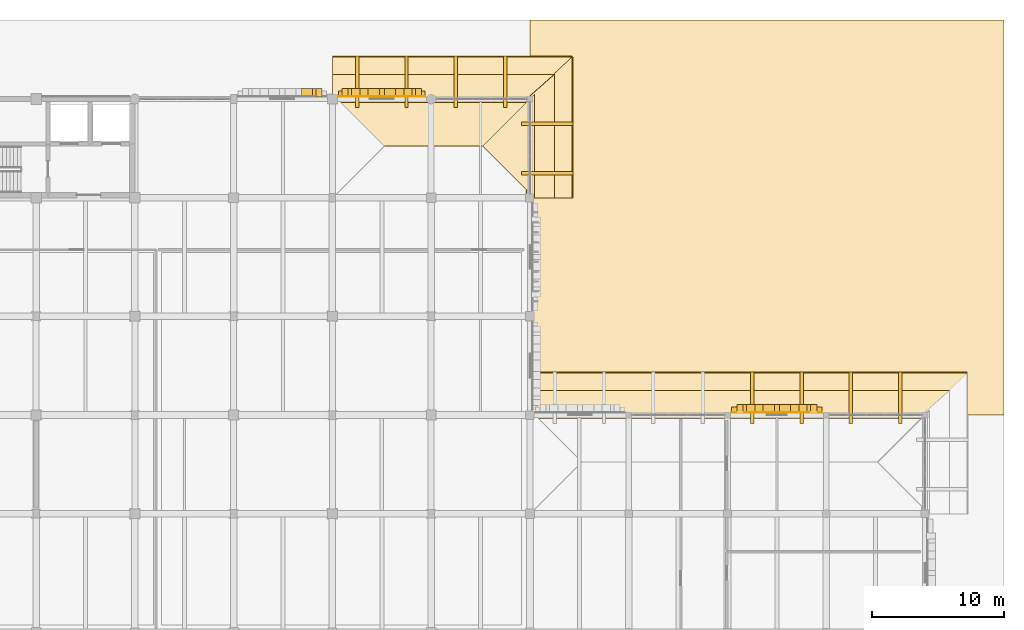
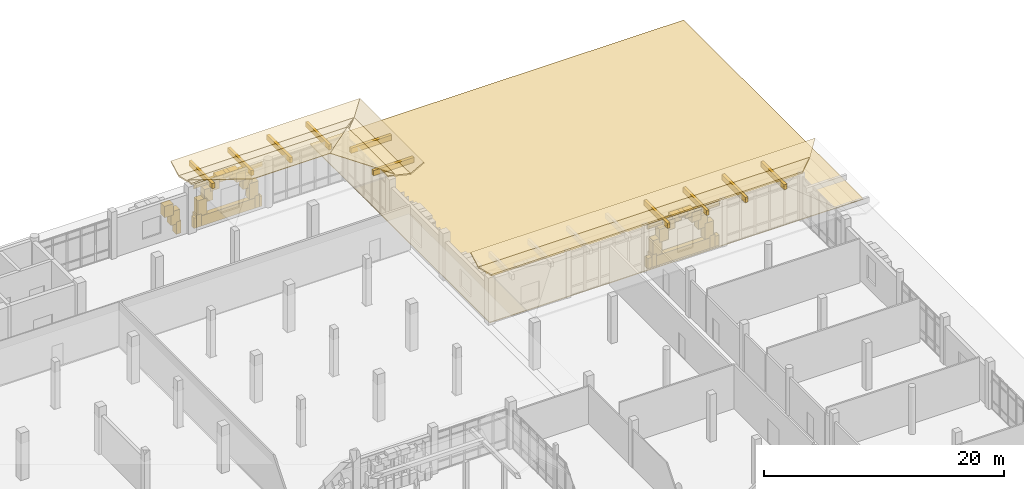
# One storey, part 125 of 125: 48 coverings.
"""IFC4 building model written with IfcOpenShell, lengths in metres."""

from ifc_helpers import new_model, si_unit, direction, frame, origin, origin_2d, place, context, subcontext, project, spatial, polyline, rectangle, outline, extrude, material, layer, layer_set, type_object, element, save


model = new_model("IFC4")

# Units and contexts
model_context = context("Model", 3, precision=1e-05, world=origin(), true_north=direction((0.0, 1.0)))
body_context = subcontext(model_context, "Body", "Model", "MODEL_VIEW")
ifc_project = project(units=[si_unit("LENGTHUNIT", "METRE"), si_unit("AREAUNIT", "SQUARE_METRE"), si_unit("VOLUMEUNIT", "CUBIC_METRE"), si_unit("PLANEANGLEUNIT", "RADIAN"), si_unit("MASSUNIT", "GRAM", prefix="KILO")], contexts=[model_context])

# Site, building, storey
site_placement = place(None, origin())
site = spatial("IfcSite", under=ifc_project, at=site_placement, CompositionType="ELEMENT")
building_placement = place(site_placement, origin())
building = spatial("IfcBuilding", under=site, at=building_placement, Name="Dalvernix Boulevard General Hospital", CompositionType="ELEMENT")
storey_placement = place(building_placement, origin())
storey = spatial("IfcBuildingStorey", under=building, at=storey_placement, Name="L00", CompositionType="ELEMENT", Elevation=0.0)

# Coverings
ifc_material_1 = material(Name="Pressed Catalan clay brick and dressed limestone parabolic archivolt", Category="masonry")
ifc_layer_1 = layer(ifc_material_1, 0.419921875)
ifc_layer_set_1 = layer_set([ifc_layer_1], Name="Pressed Catalan clay brick and dressed limestone parabolic archivolt (COV-ARC-01)")
covering_type_1 = type_object("IfcCoveringType", Name="COV-ARC-01", PredefinedType="CLADDING", material=ifc_layer_set_1)
covering_1_placement = place(storey_placement, frame((126.487548828125, 117.485107421875, 0.0), z_axis=(0.0, 0.0, 1.0), x_axis=(1.0, 0.0, 0.0)))
element("IfcCovering", 1, at=covering_1_placement, inside=storey, type_object=covering_type_1, Name="L00 Catalan parabolic arch impost pier N 16-15-R", PredefinedType="CLADDING", context=body_context, shape_type="SweptSolid", body=[
    extrude(rectangle(XDim=0.4599609375, YDim=0.659912109375, at=origin_2d()), origin(), (0.0, 0.0, 1.0), 1.25),
])
covering_2_placement = place(storey_placement, frame((125.55419921875, 117.485107421875, 2.07958984375), z_axis=(0.0, 0.0, 1.0), x_axis=(1.0, 0.0, 0.0)))
element("IfcCovering", 2, at=covering_2_placement, inside=storey, type_object=covering_type_1, Name="L00 Catalan parabolic archivolt voussoir N 16-15-8", PredefinedType="CLADDING", context=body_context, shape_type="SweptSolid", body=[
    extrude(rectangle(XDim=0.8623046875, YDim=0.659912109375, at=origin_2d()), origin(), (0.0, 0.0, 1.0), 1.144287109375),
])
covering_3_placement = place(storey_placement, frame((126.176513671875, 117.485107421875, 1.059814453125), z_axis=(0.0, 0.0, 1.0), x_axis=(1.0, 0.0, 0.0)))
element("IfcCovering", 3, at=covering_3_placement, inside=storey, type_object=covering_type_1, Name="L00 Catalan parabolic archivolt voussoir N 16-15-9", PredefinedType="CLADDING", context=body_context, shape_type="SweptSolid", body=[
    extrude(rectangle(XDim=0.8623046875, YDim=0.659912109375, at=origin_2d()), origin(), (0.0, 0.0, 1.0), 1.3994140625),
])
for number, where, z_axis, x_axis, name in (
    (4, (128.449951171875, 117.485107421875, 0.0), (0.0, 0.0, 1.0), (1.0, 0.0, 0.0), "L00 Catalan parabolic arch impost pier N 17-15-L"),
    (5, (134.050048828125, 117.485107421875, 0.0), (0.0, 0.0, 1.0), (1.0, 0.0, 0.0), "L00 Catalan parabolic arch impost pier N 17-15-R"),
):
    element("IfcCovering", number, at=place(storey_placement, frame(where, z_axis=z_axis, x_axis=x_axis)), inside=storey, type_object=covering_type_1, Name=name, PredefinedType="CLADDING", context=body_context, shape_type="SweptSolid", body=[
        extrude(rectangle(XDim=0.4599609375, YDim=0.659912109375, at=origin_2d()), origin(), (0.0, 0.0, 1.0), 1.25),
    ])
covering_4_placement = place(storey_placement, frame((128.760986328125, 117.485107421875, 1.06005859375), z_axis=(0.0, 0.0, 1.0), x_axis=(1.0, 0.0, 0.0)))
element("IfcCovering", 6, at=covering_4_placement, inside=storey, type_object=covering_type_1, Name="L00 Catalan parabolic archivolt voussoir N 17-15-1", PredefinedType="CLADDING", context=body_context, shape_type="SweptSolid", body=[
    extrude(rectangle(XDim=0.8623046875, YDim=0.659912109375, at=origin_2d()), origin(), (0.0, 0.0, 1.0), 1.616455078125),
])
covering_5_placement = place(storey_placement, frame((129.38330078125, 117.485107421875, 2.29638671875), z_axis=(0.0, 0.0, 1.0), x_axis=(1.0, 0.0, 0.0)))
element("IfcCovering", 7, at=covering_5_placement, inside=storey, type_object=covering_type_1, Name="L00 Catalan parabolic archivolt voussoir N 17-15-2", PredefinedType="CLADDING", context=body_context, shape_type="SweptSolid", body=[
    extrude(rectangle(XDim=0.8623046875, YDim=0.659912109375, at=origin_2d()), origin(), (0.0, 0.0, 1.0), 1.307373046875),
])
covering_6_placement = place(storey_placement, frame((130.005615234375, 117.485107421875, 3.22412109375), z_axis=(0.0, 0.0, 1.0), x_axis=(1.0, 0.0, 0.0)))
element("IfcCovering", 8, at=covering_6_placement, inside=storey, type_object=covering_type_1, Name="L00 Catalan parabolic archivolt voussoir N 17-15-3", PredefinedType="CLADDING", context=body_context, shape_type="SweptSolid", body=[
    extrude(rectangle(XDim=0.8623046875, YDim=0.659912109375, at=origin_2d()), origin(), (0.0, 0.0, 1.0), 0.998291015625),
])
covering_7_placement = place(storey_placement, frame((130.627685546875, 117.485107421875, 3.84228515625), z_axis=(0.0, 0.0, 1.0), x_axis=(1.0, 0.0, 0.0)))
element("IfcCovering", 9, at=covering_7_placement, inside=storey, type_object=covering_type_1, Name="L00 Catalan parabolic archivolt voussoir N 17-15-4", PredefinedType="CLADDING", context=body_context, shape_type="SweptSolid", body=[
    extrude(rectangle(XDim=0.8623046875, YDim=0.659912109375, at=origin_2d()), origin(), (0.0, 0.0, 1.0), 0.689208984375),
])
covering_8_placement = place(storey_placement, frame((131.25, 117.485107421875, 4.1513671875), z_axis=(0.0, 0.0, 1.0), x_axis=(1.0, 0.0, 0.0)))
element("IfcCovering", 10, at=covering_8_placement, inside=storey, type_object=covering_type_1, Name="L00 Catalan parabolic archivolt voussoir N 17-15-5", PredefinedType="CLADDING", context=body_context, shape_type="SweptSolid", body=[
    extrude(rectangle(XDim=0.8623046875, YDim=0.659912109375, at=origin_2d()), origin(), (0.0, 0.0, 1.0), 0.3798828125),
])
covering_9_placement = place(storey_placement, frame((131.872314453125, 117.485107421875, 3.84228515625), z_axis=(0.0, 0.0, 1.0), x_axis=(1.0, 0.0, 0.0)))
element("IfcCovering", 11, at=covering_9_placement, inside=storey, type_object=covering_type_1, Name="L00 Catalan parabolic archivolt voussoir N 17-15-6", PredefinedType="CLADDING", context=body_context, shape_type="SweptSolid", body=[
    extrude(rectangle(XDim=0.8623046875, YDim=0.659912109375, at=origin_2d()), origin(), (0.0, 0.0, 1.0), 0.689208984375),
])
covering_10_placement = place(storey_placement, frame((132.494384765625, 117.485107421875, 3.22412109375), z_axis=(0.0, 0.0, 1.0), x_axis=(1.0, 0.0, 0.0)))
element("IfcCovering", 12, at=covering_10_placement, inside=storey, type_object=covering_type_1, Name="L00 Catalan parabolic archivolt voussoir N 17-15-7", PredefinedType="CLADDING", context=body_context, shape_type="SweptSolid", body=[
    extrude(rectangle(XDim=0.8623046875, YDim=0.659912109375, at=origin_2d()), origin(), (0.0, 0.0, 1.0), 0.998291015625),
])
covering_11_placement = place(storey_placement, frame((133.11669921875, 117.485107421875, 2.29638671875), z_axis=(0.0, 0.0, 1.0), x_axis=(1.0, 0.0, 0.0)))
element("IfcCovering", 13, at=covering_11_placement, inside=storey, type_object=covering_type_1, Name="L00 Catalan parabolic archivolt voussoir N 17-15-8", PredefinedType="CLADDING", context=body_context, shape_type="SweptSolid", body=[
    extrude(rectangle(XDim=0.8623046875, YDim=0.659912109375, at=origin_2d()), origin(), (0.0, 0.0, 1.0), 1.307373046875),
])
covering_12_placement = place(storey_placement, frame((133.739013671875, 117.485107421875, 1.06005859375), z_axis=(0.0, 0.0, 1.0), x_axis=(1.0, 0.0, 0.0)))
element("IfcCovering", 14, at=covering_12_placement, inside=storey, type_object=covering_type_1, Name="L00 Catalan parabolic archivolt voussoir N 17-15-9", PredefinedType="CLADDING", context=body_context, shape_type="SweptSolid", body=[
    extrude(rectangle(XDim=0.8623046875, YDim=0.659912109375, at=origin_2d()), origin(), (0.0, 0.0, 1.0), 1.616455078125),
])
for number, where, z_axis, x_axis, name in (
    (15, (158.449951171875, 93.485107421875, 0.0), (0.0, 0.0, 1.0), (1.0, 0.0, 0.0), "L00 Catalan parabolic arch impost pier N 21-12-L"),
    (16, (164.050048828125, 93.485107421875, 0.0), (0.0, 0.0, 1.0), (1.0, 0.0, 0.0), "L00 Catalan parabolic arch impost pier N 21-12-R"),
):
    element("IfcCovering", number, at=place(storey_placement, frame(where, z_axis=z_axis, x_axis=x_axis)), inside=storey, type_object=covering_type_1, Name=name, PredefinedType="CLADDING", context=body_context, shape_type="SweptSolid", body=[
        extrude(rectangle(XDim=0.4599609375, YDim=0.659912109375, at=origin_2d()), origin(), (0.0, 0.0, 1.0), 1.25),
    ])
covering_13_placement = place(storey_placement, frame((158.760986328125, 93.485107421875, 1.06005859375), z_axis=(0.0, 0.0, 1.0), x_axis=(1.0, 0.0, 0.0)))
element("IfcCovering", 17, at=covering_13_placement, inside=storey, type_object=covering_type_1, Name="L00 Catalan parabolic archivolt voussoir N 21-12-1", PredefinedType="CLADDING", context=body_context, shape_type="SweptSolid", body=[
    extrude(rectangle(XDim=0.8623046875, YDim=0.659912109375, at=origin_2d()), origin(), (0.0, 0.0, 1.0), 1.616455078125),
])
covering_14_placement = place(storey_placement, frame((159.38330078125, 93.485107421875, 2.29638671875), z_axis=(0.0, 0.0, 1.0), x_axis=(1.0, 0.0, 0.0)))
element("IfcCovering", 18, at=covering_14_placement, inside=storey, type_object=covering_type_1, Name="L00 Catalan parabolic archivolt voussoir N 21-12-2", PredefinedType="CLADDING", context=body_context, shape_type="SweptSolid", body=[
    extrude(rectangle(XDim=0.8623046875, YDim=0.659912109375, at=origin_2d()), origin(), (0.0, 0.0, 1.0), 1.307373046875),
])
covering_15_placement = place(storey_placement, frame((160.005615234375, 93.485107421875, 3.22412109375), z_axis=(0.0, 0.0, 1.0), x_axis=(1.0, 0.0, 0.0)))
element("IfcCovering", 19, at=covering_15_placement, inside=storey, type_object=covering_type_1, Name="L00 Catalan parabolic archivolt voussoir N 21-12-3", PredefinedType="CLADDING", context=body_context, shape_type="SweptSolid", body=[
    extrude(rectangle(XDim=0.8623046875, YDim=0.659912109375, at=origin_2d()), origin(), (0.0, 0.0, 1.0), 0.998291015625),
])
covering_16_placement = place(storey_placement, frame((160.627685546875, 93.485107421875, 3.84228515625), z_axis=(0.0, 0.0, 1.0), x_axis=(1.0, 0.0, 0.0)))
element("IfcCovering", 20, at=covering_16_placement, inside=storey, type_object=covering_type_1, Name="L00 Catalan parabolic archivolt voussoir N 21-12-4", PredefinedType="CLADDING", context=body_context, shape_type="SweptSolid", body=[
    extrude(rectangle(XDim=0.8623046875, YDim=0.659912109375, at=origin_2d()), origin(), (0.0, 0.0, 1.0), 0.689208984375),
])
covering_17_placement = place(storey_placement, frame((161.25, 93.485107421875, 4.1513671875), z_axis=(0.0, 0.0, 1.0), x_axis=(1.0, 0.0, 0.0)))
element("IfcCovering", 21, at=covering_17_placement, inside=storey, type_object=covering_type_1, Name="L00 Catalan parabolic archivolt voussoir N 21-12-5", PredefinedType="CLADDING", context=body_context, shape_type="SweptSolid", body=[
    extrude(rectangle(XDim=0.8623046875, YDim=0.659912109375, at=origin_2d()), origin(), (0.0, 0.0, 1.0), 0.3798828125),
])
covering_18_placement = place(storey_placement, frame((161.872314453125, 93.485107421875, 3.84228515625), z_axis=(0.0, 0.0, 1.0), x_axis=(1.0, 0.0, 0.0)))
element("IfcCovering", 22, at=covering_18_placement, inside=storey, type_object=covering_type_1, Name="L00 Catalan parabolic archivolt voussoir N 21-12-6", PredefinedType="CLADDING", context=body_context, shape_type="SweptSolid", body=[
    extrude(rectangle(XDim=0.8623046875, YDim=0.659912109375, at=origin_2d()), origin(), (0.0, 0.0, 1.0), 0.689208984375),
])
covering_19_placement = place(storey_placement, frame((162.494384765625, 93.485107421875, 3.22412109375), z_axis=(0.0, 0.0, 1.0), x_axis=(1.0, 0.0, 0.0)))
element("IfcCovering", 23, at=covering_19_placement, inside=storey, type_object=covering_type_1, Name="L00 Catalan parabolic archivolt voussoir N 21-12-7", PredefinedType="CLADDING", context=body_context, shape_type="SweptSolid", body=[
    extrude(rectangle(XDim=0.8623046875, YDim=0.659912109375, at=origin_2d()), origin(), (0.0, 0.0, 1.0), 0.998291015625),
])
covering_20_placement = place(storey_placement, frame((163.11669921875, 93.485107421875, 2.29638671875), z_axis=(0.0, 0.0, 1.0), x_axis=(1.0, 0.0, 0.0)))
element("IfcCovering", 24, at=covering_20_placement, inside=storey, type_object=covering_type_1, Name="L00 Catalan parabolic archivolt voussoir N 21-12-8", PredefinedType="CLADDING", context=body_context, shape_type="SweptSolid", body=[
    extrude(rectangle(XDim=0.8623046875, YDim=0.659912109375, at=origin_2d()), origin(), (0.0, 0.0, 1.0), 1.307373046875),
])
covering_21_placement = place(storey_placement, frame((163.739013671875, 93.485107421875, 1.06005859375), z_axis=(0.0, 0.0, 1.0), x_axis=(1.0, 0.0, 0.0)))
element("IfcCovering", 25, at=covering_21_placement, inside=storey, type_object=covering_type_1, Name="L00 Catalan parabolic archivolt voussoir N 21-12-9", PredefinedType="CLADDING", context=body_context, shape_type="SweptSolid", body=[
    extrude(rectangle(XDim=0.8623046875, YDim=0.659912109375, at=origin_2d()), origin(), (0.0, 0.0, 1.0), 1.616455078125),
])
ifc_material_2 = material(Name="Polychrome Catalan glazed ceramic spandrel tile panel")
ifc_layer_2 = layer(ifc_material_2, 0.044921875)
ifc_layer_set_2 = layer_set([ifc_layer_2], Name="Polychrome Catalan glazed ceramic spandrel tile panel (COV-CLD-01)")
covering_type_2 = type_object("IfcCoveringType", Name="COV-CLD-01", PredefinedType="CLADDING", material=ifc_layer_set_2)
covering_22_placement = place(storey_placement, frame((131.25, 117.195068359375, 4.02490234375), z_axis=(0.0, 0.0, 1.0), x_axis=(1.0, 0.0, 0.0)))
element("IfcCovering", 26, at=covering_22_placement, inside=storey, type_object=covering_type_2, Name="L00 polychrome ceramic spandrel N 17-15", PredefinedType="CLADDING", context=body_context, shape_type="SweptSolid", body=[
    extrude(rectangle(XDim=6.6298828125, YDim=0.044921875, at=origin_2d()), origin(), (0.0, 0.0, 1.0), 0.449951171875),
])
covering_23_placement = place(storey_placement, frame((161.25, 93.195068359375, 4.02490234375), z_axis=(0.0, 0.0, 1.0), x_axis=(1.0, 0.0, 0.0)))
element("IfcCovering", 27, at=covering_23_placement, inside=storey, type_object=covering_type_2, Name="L00 polychrome ceramic spandrel N 21-12", PredefinedType="CLADDING", context=body_context, shape_type="SweptSolid", body=[
    extrude(rectangle(XDim=6.929931640625, YDim=0.044921875, at=origin_2d()), origin(), (0.0, 0.0, 1.0), 0.449951171875),
])
ifc_material_3 = material(Name="Dressed ochre limestone classical plinth, stringcourse and corbelled cornice", Category="masonry")
ifc_layer_3 = layer(ifc_material_3, 0.449951171875)
ifc_layer_set_3 = layer_set([ifc_layer_3], Name="Dressed ochre limestone classical plinth, stringcourse and corbelled cornice (COV-CRN-01)")
covering_type_3 = type_object("IfcCoveringType", Name="COV-CRN-01", PredefinedType="CLADDING", material=ifc_layer_set_3)
covering_24_placement = place(storey_placement, frame((131.25, 117.375, 0.0), z_axis=(0.0, 0.0, 1.0), x_axis=(1.0, 0.0, 0.0)))
element("IfcCovering", 28, at=covering_24_placement, inside=storey, type_object=covering_type_3, Name="L00 rusticated limestone classical plinth N 17-15", PredefinedType="CLADDING", context=body_context, shape_type="SweptSolid", body=[
    extrude(rectangle(XDim=6.570068359375, YDim=0.43994140625, at=origin_2d()), origin(), (0.0, 0.0, 1.0), 1.0400390625),
])
covering_25_placement = place(storey_placement, frame((161.25, 93.375, 0.0), z_axis=(0.0, 0.0, 1.0), x_axis=(1.0, 0.0, 0.0)))
element("IfcCovering", 29, at=covering_25_placement, inside=storey, type_object=covering_type_3, Name="L00 rusticated limestone classical plinth N 21-12", PredefinedType="CLADDING", context=body_context, shape_type="SweptSolid", body=[
    extrude(rectangle(XDim=6.8701171875, YDim=0.43994140625, at=origin_2d()), origin(), (0.0, 0.0, 1.0), 1.0400390625),
])
ifc_material_4 = material(Name="Glazed Catalan terracotta and iroko timber overhanging upturned eave", Category="masonry")
ifc_layer_4 = layer(ifc_material_4, 0.139892578125)
ifc_layer_set_4 = layer_set([ifc_layer_4], Name="Glazed Catalan terracotta and iroko timber overhanging upturned eave (COV-EAVE-01)")
covering_type_4 = type_object("IfcCoveringType", Name="COV-EAVE-01", PredefinedType="CLADDING", material=ifc_layer_set_4)
covering_26_placement = place(storey_placement, frame((142.5, 116.75, 5.006103515625), z_axis=(0.0, 0.230038471981, 0.97318153569), x_axis=(-1.0, 0.0, 0.0)))
element("IfcCovering", 30, at=covering_26_placement, inside=storey, type_object=covering_type_4, Name="V3-L00NE overhanging ceramic eave skirt N", PredefinedType="CLADDING", context=body_context, shape_type="SweptSolid", body=[
    extrude(outline(polyline([(0.0, 0.0), (15.0, 0.0), (15.0, -2.2605763582581444), (-1.949951171875, -2.2605763582581444), (0.0, 0.0)])), origin(), (0.0, 0.0, -1.0), 0.139892578125),
])
covering_27_placement = place(storey_placement, frame((144.449951171875, 118.8701171875, 4.486083984375), z_axis=(0.0, -0.476101106464, 0.879390548291), x_axis=(-1.0, 0.0, 0.0)))
element("IfcCovering", 31, at=covering_27_placement, inside=storey, type_object=covering_type_4, Name="V3-L00NE upturned ceramic eave wing N", PredefinedType="CLADDING", context=body_context, shape_type="SweptSolid", body=[
    extrude(outline(polyline([(0.0, 0.0), (16.949951171875, 0.0), (16.949951171875, -1.5122222850351714), (-1.25, -1.5122222850351714), (0.0, 0.0)])), origin(), (0.0, 0.0, -1.0), 0.139892578125),
])
covering_28_placement = place(storey_placement, frame((142.25, 109.5, 5.006103515625), z_axis=(0.230038471981, 0.0, 0.97318153569), x_axis=(0.0, 1.0, 0.0)))
element("IfcCovering", 32, at=covering_28_placement, inside=storey, type_object=covering_type_4, Name="V3-L00NE overhanging ceramic eave skirt E", PredefinedType="CLADDING", context=body_context, shape_type="SweptSolid", body=[
    extrude(outline(polyline([(0.0, 0.0), (7.5, 0.0), (9.449951171875, -2.2605763582581444), (0.0, -2.2605763582581444), (0.0, 0.0)])), origin(), (0.0, 0.0, -1.0), 0.139892578125),
])
covering_29_placement = place(storey_placement, frame((144.3701171875, 109.5, 4.486083984375), z_axis=(-0.476101106464, 0.0, 0.879390548291), x_axis=(0.0, 1.0, 0.0)))
element("IfcCovering", 33, at=covering_29_placement, inside=storey, type_object=covering_type_4, Name="V3-L00NE upturned ceramic eave wing E", PredefinedType="CLADDING", context=body_context, shape_type="SweptSolid", body=[
    extrude(outline(polyline([(0.0, 0.0), (9.449951171875, 0.0), (10.699951171875, -1.5122222850351714), (0.0, -1.5122222850351714), (0.0, 0.0)])), origin(), (0.0, 0.0, -1.0), 0.139892578125),
])
covering_30_placement = place(storey_placement, frame((172.5, 92.75, 5.006103515625), z_axis=(0.0, 0.230038471981, 0.97318153569), x_axis=(-1.0, 0.0, 0.0)))
element("IfcCovering", 34, at=covering_30_placement, inside=storey, type_object=covering_type_4, Name="V2-L00N overhanging ceramic eave skirt N", PredefinedType="CLADDING", context=body_context, shape_type="SweptSolid", body=[
    extrude(outline(polyline([(0.0, 0.0), (30.0, 0.0), (30.0, -2.2605763582581444), (-1.949951171875, -2.2605763582581444), (0.0, 0.0)])), origin(), (0.0, 0.0, -1.0), 0.139892578125),
])
covering_31_placement = place(storey_placement, frame((174.449951171875, 94.8701171875, 4.486083984375), z_axis=(0.0, -0.476101106464, 0.879390548291), x_axis=(-1.0, 0.0, 0.0)))
element("IfcCovering", 35, at=covering_31_placement, inside=storey, type_object=covering_type_4, Name="V2-L00N upturned ceramic eave wing N", PredefinedType="CLADDING", context=body_context, shape_type="SweptSolid", body=[
    extrude(outline(polyline([(0.0, 0.0), (31.949951171875, 0.0), (31.949951171875, -1.5122222850351714), (-1.25, -1.5122222850351714), (0.0, 0.0)])), origin(), (0.0, 0.0, -1.0), 0.139892578125),
])
ifc_material_5 = material(Name="Preservative-treated glulam GL28h eave outlooker corbel bracket", Category="wood")
ifc_layer_5 = layer(ifc_material_5, 0.239990234375)
ifc_layer_set_5 = layer_set([ifc_layer_5], Name="Preservative-treated glulam GL28h eave outlooker corbel bracket (COV-OUTLOOK-01)")
covering_type_5 = type_object("IfcCoveringType", Name="COV-OUTLOOK-01", PredefinedType="CLADDING", material=ifc_layer_set_5)
for number, where, z_axis, x_axis, name in (
    (36, (129.375, 118.300048828125, 4.0859375), (0.0, 0.0, 1.0), (1.0, 0.0, 0.0), "V3-L00NE glulam eave outlooker corbel N-1"),
    (37, (133.125, 118.300048828125, 4.0859375), (0.0, 0.0, 1.0), (1.0, 0.0, 0.0), "V3-L00NE glulam eave outlooker corbel N-2"),
    (38, (136.875, 118.300048828125, 4.0859375), (0.0, 0.0, 1.0), (1.0, 0.0, 0.0), "V3-L00NE glulam eave outlooker corbel N-3"),
    (39, (140.625, 118.300048828125, 4.0859375), (0.0, 0.0, 1.0), (1.0, 0.0, 0.0), "V3-L00NE glulam eave outlooker corbel N-4"),
):
    element("IfcCovering", number, at=place(storey_placement, frame(where, z_axis=z_axis, x_axis=x_axis)), inside=storey, type_object=covering_type_5, Name=name, PredefinedType="CLADDING", context=body_context, shape_type="SweptSolid", body=[
        extrude(rectangle(XDim=0.260009765625, YDim=3.89990234375, at=origin_2d()), origin(), (0.0, 0.0, 1.0), 0.52001953125),
    ])
for number, where, z_axis, x_axis, name in (
    (40, (143.800048828125, 111.375, 4.0859375), (0.0, 0.0, 1.0), (1.0, 0.0, 0.0), "V3-L00NE glulam eave outlooker corbel E-1"),
    (41, (143.800048828125, 115.125, 4.0859375), (0.0, 0.0, 1.0), (1.0, 0.0, 0.0), "V3-L00NE glulam eave outlooker corbel E-2"),
):
    element("IfcCovering", number, at=place(storey_placement, frame(where, z_axis=z_axis, x_axis=x_axis)), inside=storey, type_object=covering_type_5, Name=name, PredefinedType="CLADDING", context=body_context, shape_type="SweptSolid", body=[
        extrude(rectangle(XDim=3.89990234375, YDim=0.260009765625, at=origin_2d()), origin(), (0.0, 0.0, 1.0), 0.52001953125),
    ])
for number, where, z_axis, x_axis, name in (
    (42, (159.375, 94.300048828125, 4.0859375), (0.0, 0.0, 1.0), (1.0, 0.0, 0.0), "V2-L00N glulam eave outlooker corbel N-5"),
    (43, (163.125, 94.300048828125, 4.0859375), (0.0, 0.0, 1.0), (1.0, 0.0, 0.0), "V2-L00N glulam eave outlooker corbel N-6"),
    (44, (166.875, 94.300048828125, 4.0859375), (0.0, 0.0, 1.0), (1.0, 0.0, 0.0), "V2-L00N glulam eave outlooker corbel N-7"),
    (45, (170.625, 94.300048828125, 4.0859375), (0.0, 0.0, 1.0), (1.0, 0.0, 0.0), "V2-L00N glulam eave outlooker corbel N-8"),
):
    element("IfcCovering", number, at=place(storey_placement, frame(where, z_axis=z_axis, x_axis=x_axis)), inside=storey, type_object=covering_type_5, Name=name, PredefinedType="CLADDING", context=body_context, shape_type="SweptSolid", body=[
        extrude(rectangle(XDim=0.260009765625, YDim=3.89990234375, at=origin_2d()), origin(), (0.0, 0.0, 1.0), 0.52001953125),
    ])
ifc_material_6 = material(Name="Permeable granite and clay boulevard paving", Category="masonry")
ifc_layer_6 = layer(ifc_material_6, 0.080078125)
ifc_layer_set_6 = layer_set([ifc_layer_6], Name="Permeable granite and clay boulevard paving (COV-PAV-01)")
covering_type_6 = type_object("IfcCoveringType", Name="COV-PAV-01", PredefinedType="USERDEFINED", material=ifc_layer_set_6)
covering_32_placement = place(storey_placement, frame((0.0, 0.0, -0.080078125)))
element("IfcCovering", 46, at=covering_32_placement, inside=storey, type_object=covering_type_6, Name="Exterior grade paving NE-APRON", ObjectType="PAVING", PredefinedType="USERDEFINED", context=body_context, shape_type="SweptSolid", body=[
    extrude(outline(polyline([(142.5, 93.0), (178.5, 93.0), (178.5, 123.0), (142.5, 123.0), (142.5, 93.0)])), origin(), (0.0, 0.0, 1.0), 0.080078125),
])
ifc_material_7 = material(Name="Polychrome Catalan glazed terracotta roof tiles", Category="masonry")
ifc_layer_7 = layer(ifc_material_7, 0.050048828125)
ifc_layer_set_7 = layer_set([ifc_layer_7], Name="Polychrome Catalan glazed terracotta roof tiles (COV-ROOF-01)")
covering_type_7 = type_object("IfcCoveringType", Name="COV-ROOF-01", PredefinedType="ROOFING", material=ifc_layer_set_7)
covering_33_placement = place(storey_placement, frame((142.85009765625, 117.35009765625, 5.01611328125), z_axis=(0.0, 0.265536966303, 0.964100679144), x_axis=(-1.0, 0.0, 0.0)))
element("IfcCovering", 47, at=covering_33_placement, inside=storey, type_object=covering_type_7, Name="V3-L00NE glazed terracotta tile slope N", PredefinedType="ROOFING", context=body_context, shape_type="SweptSolid", body=[
    extrude(outline(polyline([(0.0, 0.0), (15.35009765625, 0.0), (11.425048828125, 4.07120222299644), (3.925048828125, 4.07120222299644), (0.0, 0.0)])), origin(), (0.0, 0.0, -1.0), 0.050048828125),
])
covering_34_placement = place(storey_placement, frame((142.85009765625, 109.5, 5.01611328125), z_axis=(0.265536966303, 0.0, 0.964100679144), x_axis=(0.0, 1.0, 0.0)))
element("IfcCovering", 48, at=covering_34_placement, inside=storey, type_object=covering_type_7, Name="V3-L00NE glazed terracotta tile slope E", PredefinedType="ROOFING", context=body_context, shape_type="SweptSolid", body=[
    extrude(outline(polyline([(0.0, 0.0), (7.85009765625, 0.0), (3.925048828125, 4.07120222299644), (0.0, 0.0)])), origin(), (0.0, 0.0, -1.0), 0.050048828125),
])

save(model, "model.ifc")
